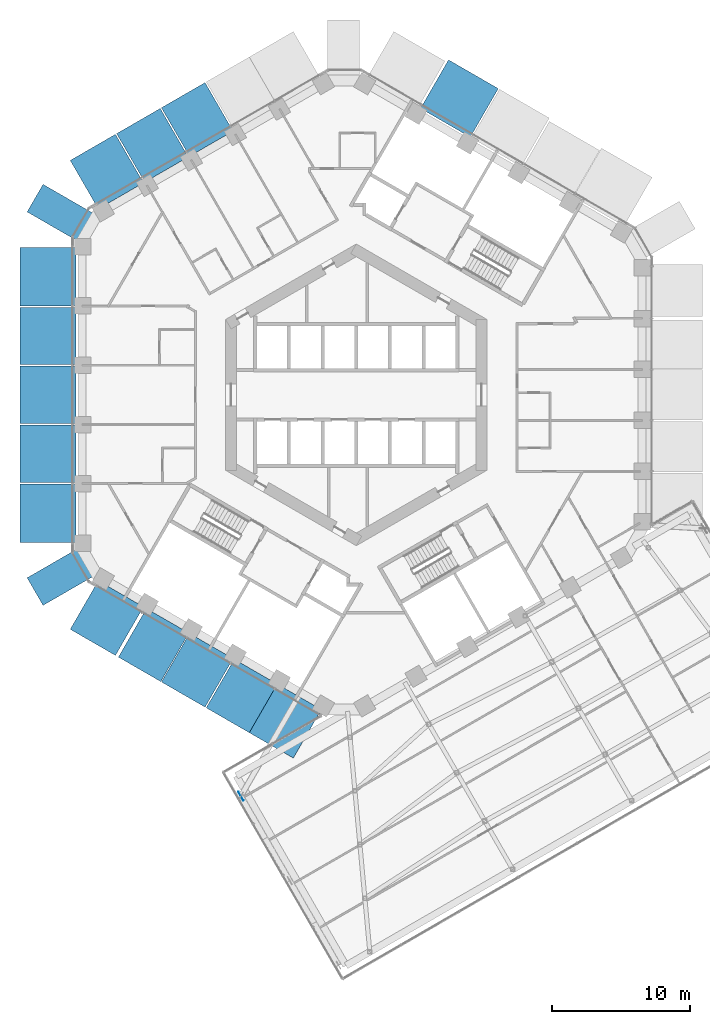
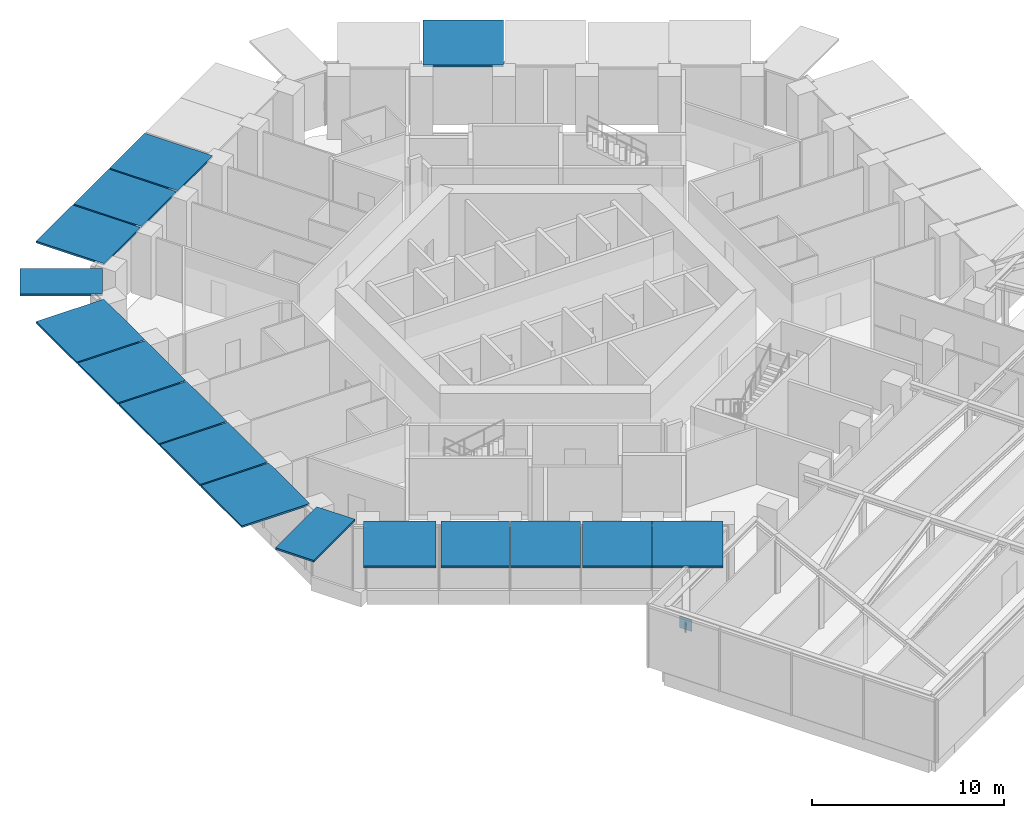
# One storey, part 21 of 28: 17 discrete accessories.
"""IFC4 building model written with IfcOpenShell, lengths in metres."""

from ifc_helpers import new_model, si_unit, direction, frame, origin, origin_2d, place, context, subcontext, project, spatial, rectangle, extrude, material, layer, layer_set, type_object, element, save


model = new_model("IFC4")

# Units and contexts
model_context = context("Model", 3, precision=1e-05, world=origin(), true_north=direction((0.0, 1.0)))
body_context = subcontext(model_context, "Body", "Model", "MODEL_VIEW")
ifc_project = project(units=[si_unit("LENGTHUNIT", "METRE"), si_unit("AREAUNIT", "SQUARE_METRE"), si_unit("VOLUMEUNIT", "CUBIC_METRE"), si_unit("PLANEANGLEUNIT", "RADIAN"), si_unit("MASSUNIT", "GRAM", prefix="KILO")], contexts=[model_context])

# Site, building, storey
site_placement = place(None, origin())
site = spatial("IfcSite", under=ifc_project, at=site_placement, CompositionType="ELEMENT")
building_placement = place(site_placement, origin())
building = spatial("IfcBuilding", under=site, at=building_placement, Name="Ayvan Gate Tower", CompositionType="ELEMENT")
storey_placement = place(building_placement, frame((0.0, 0.0, 74.300048828125)))
storey = spatial("IfcBuildingStorey", under=building, at=storey_placement, Name="L19", CompositionType="ELEMENT", Elevation=74.300048828125)

# Discrete accessories
ifc_material_1 = material(Name="Stainless steel 316", Category="steel")
ifc_layer_1 = layer(ifc_material_1, 0.1201171875)
ifc_layer_set_1 = layer_set([ifc_layer_1], Name="Stainless steel 316")
discrete_accessory_type_1 = type_object("IfcDiscreteAccessoryType", Name="Fin carrier bracket", PredefinedType="BRACKET", material=ifc_layer_set_1)
discrete_accessory_1_placement = place(storey_placement, frame((-22.412109375, -8.595458984375, 3.8798828125), z_axis=(0.0, 0.0, 1.0), x_axis=(0.0, -1.0, 0.0)))
element("IfcDiscreteAccessory", 1, at=discrete_accessory_1_placement, inside=storey, type_object=discrete_accessory_type_1, Name="Fin carrier 15", PredefinedType="BRACKET", context=body_context, shape_type="SweptSolid", body=[
    extrude(rectangle(XDim=4.25146484375, YDim=4.079345703125, at=origin_2d()), origin(), (0.0, 0.0, 1.0), 0.1201171875),
])
for number, where, z_axis, x_axis, name in (
    (2, (-22.412109375, -4.27978515625, 3.8798828125), (0.0, 0.0, 1.0), (0.0, -1.0, 0.0), "Fin carrier 17"),
    (3, (-22.412109375, 0.000244140625, 3.8798828125), (0.0, 0.0, 1.0), (0.0, -1.0, 0.0), "Fin carrier 23"),
):
    element("IfcDiscreteAccessory", number, at=place(storey_placement, frame(where, z_axis=z_axis, x_axis=x_axis)), inside=storey, type_object=discrete_accessory_type_1, Name=name, PredefinedType="BRACKET", context=body_context, shape_type="SweptSolid", body=[
        extrude(rectangle(XDim=4.179931640625, YDim=4.079345703125, at=origin_2d()), origin(), (0.0, 0.0, 1.0), 0.1201171875),
    ])
discrete_accessory_2_placement = place(storey_placement, frame((-22.412109375, 4.27978515625, 3.8798828125), z_axis=(0.0, 0.0, 1.0), x_axis=(0.0, -1.0, 0.0)))
element("IfcDiscreteAccessory", 4, at=discrete_accessory_2_placement, inside=storey, type_object=discrete_accessory_type_1, Name="Fin carrier 27", PredefinedType="BRACKET", context=body_context, shape_type="SweptSolid", body=[
    extrude(rectangle(XDim=4.178955078125, YDim=4.079345703125, at=origin_2d()), origin(), (0.0, 0.0, 1.0), 0.1201171875),
])
discrete_accessory_3_placement = place(storey_placement, frame((-22.412109375, 8.59521484375, 3.8798828125), z_axis=(0.0, 0.0, 1.0), x_axis=(0.0, -1.0, 0.0)))
element("IfcDiscreteAccessory", 5, at=discrete_accessory_3_placement, inside=storey, type_object=discrete_accessory_type_1, Name="Fin carrier 31", PredefinedType="BRACKET", context=body_context, shape_type="SweptSolid", body=[
    extrude(rectangle(XDim=4.251953125, YDim=4.079345703125, at=origin_2d()), origin(), (0.0, 0.0, 1.0), 0.1201171875),
])
for number, where, z_axis, x_axis, name in (
    (6, (-21.48876953125, -13.228759765625, 3.8798828125), (0.0, 0.0, 1.0), (0.5, -0.866025403784, 0.0), "Fin carrier 40"),
    (7, (-21.48876953125, 13.228759765625, 3.8798828125), (0.0, 0.0, 1.0), (-0.5, -0.866025403784, 0.0), "Fin carrier 57"),
):
    element("IfcDiscreteAccessory", number, at=place(storey_placement, frame(where, z_axis=z_axis, x_axis=x_axis)), inside=storey, type_object=discrete_accessory_type_1, Name=name, PredefinedType="BRACKET", context=body_context, shape_type="SweptSolid", body=[
        extrude(rectangle(XDim=2.314453125, YDim=4.310546875, at=origin_2d()), origin(), (0.0, 0.0, 1.0), 0.1201171875),
    ])
discrete_accessory_4_placement = place(storey_placement, frame((-18.135498046875, -16.231201171875, 3.8798828125), z_axis=(0.0, 0.0, 1.0), x_axis=(0.866025403784, -0.5, 0.0)))
element("IfcDiscreteAccessory", 8, at=discrete_accessory_4_placement, inside=storey, type_object=discrete_accessory_type_1, Name="Fin carrier 133", PredefinedType="BRACKET", context=body_context, shape_type="SweptSolid", body=[
    extrude(rectangle(XDim=3.794921875, YDim=4.079345703125, at=origin_2d()), origin(), (0.0, 0.0, 1.0), 0.1201171875),
])
discrete_accessory_5_placement = place(storey_placement, frame((-18.1357421875, 16.23095703125, 3.8798828125), z_axis=(0.0, 0.0, 1.0), x_axis=(-0.866025403784, -0.5, 0.0)))
element("IfcDiscreteAccessory", 9, at=discrete_accessory_5_placement, inside=storey, type_object=discrete_accessory_type_1, Name="Fin carrier 148", PredefinedType="BRACKET", context=body_context, shape_type="SweptSolid", body=[
    extrude(rectangle(XDim=3.79443359375, YDim=4.079345703125, at=origin_2d()), origin(), (0.0, 0.0, 1.0), 0.1201171875),
])
discrete_accessory_6_placement = place(storey_placement, frame((-14.73486328125, -18.194580078125, 3.8798828125), z_axis=(0.0, 0.0, 1.0), x_axis=(0.866025403784, -0.5, 0.0)))
element("IfcDiscreteAccessory", 10, at=discrete_accessory_6_placement, inside=storey, type_object=discrete_accessory_type_1, Name="Fin carrier 253", PredefinedType="BRACKET", context=body_context, shape_type="SweptSolid", body=[
    extrude(rectangle(XDim=3.56298828125, YDim=4.079345703125, at=origin_2d()), origin(), (0.0, 0.0, 1.0), 0.1201171875),
])
for number, where, z_axis, x_axis, name in (
    (11, (-14.8203125, 18.14501953125, 3.8798828125), (0.0, 0.0, 1.0), (-0.866025403784, -0.5, 0.0), "Fin carrier 264"),
    (12, (-11.56201171875, -20.0263671875, 3.8798828125), (0.0, 0.0, 1.0), (0.866025403784, -0.5, 0.0), "Fin carrier 320"),
    (13, (-11.562255859375, 20.026123046875, 3.8798828125), (0.0, 0.0, 1.0), (-0.866025403784, -0.5, 0.0), "Fin carrier 326"),
    (14, (-8.303955078125, -21.9072265625, 3.8798828125), (0.0, 0.0, 1.0), (0.866025403784, -0.5, 0.0), "Fin carrier 381"),
):
    element("IfcDiscreteAccessory", number, at=place(storey_placement, frame(where, z_axis=z_axis, x_axis=x_axis)), inside=storey, type_object=discrete_accessory_type_1, Name=name, PredefinedType="BRACKET", context=body_context, shape_type="SweptSolid", body=[
        extrude(rectangle(XDim=3.662109375, YDim=4.079345703125, at=origin_2d()), origin(), (0.0, 0.0, 1.0), 0.1201171875),
    ])
discrete_accessory_7_placement = place(storey_placement, frame((-5.157470703125, -23.723876953125, 3.8798828125), z_axis=(0.0, 0.0, 1.0), x_axis=(0.866025403784, -0.5, 0.0)))
element("IfcDiscreteAccessory", 15, at=discrete_accessory_7_placement, inside=storey, type_object=discrete_accessory_type_1, Name="Fin carrier 439", PredefinedType="BRACKET", context=body_context, shape_type="SweptSolid", body=[
    extrude(rectangle(XDim=3.70068359375, YDim=4.079345703125, at=origin_2d()), origin(), (0.0, 0.0, 1.0), 0.1201171875),
])
discrete_accessory_8_placement = place(storey_placement, frame((7.499755859375, 21.54931640625, 3.8798828125), z_axis=(0.0, 0.0, 1.0), x_axis=(-0.866025403784, 0.5, 0.0)))
element("IfcDiscreteAccessory", 16, at=discrete_accessory_8_placement, inside=storey, type_object=discrete_accessory_type_1, Name="Fin carrier 650", PredefinedType="BRACKET", context=body_context, shape_type="SweptSolid", body=[
    extrude(rectangle(XDim=4.179931640625, YDim=4.079345703125, at=origin_2d()), origin(), (0.0, 0.0, 1.0), 0.1201171875),
])
ifc_material_2 = material(Name="Steel S460ML", Category="steel")
ifc_layer_2 = layer(ifc_material_2, 0.034912109375)
ifc_layer_set_2 = layer_set([ifc_layer_2], Name="Steel S460ML")
discrete_accessory_type_2 = type_object("IfcDiscreteAccessoryType", Name="Gusset plate 35 mm", PredefinedType="BRACKET", material=ifc_layer_set_2)
discrete_accessory_9_placement = place(storey_placement, frame((-8.390869140625, -29.1767578125, 2.98193359375), z_axis=(0.0, 0.0, 1.0), x_axis=(-0.5, 0.866025403784, 0.0)))
element("IfcDiscreteAccessory", 17, at=discrete_accessory_9_placement, inside=storey, type_object=discrete_accessory_type_2, Name="Gusset plate SBX1-B-D-2", PredefinedType="BRACKET", context=body_context, shape_type="SweptSolid", body=[
    extrude(rectangle(XDim=0.736083984375, YDim=0.034912109375, at=origin_2d()), origin(), (0.0, 0.0, 1.0), 0.736083984375),
])

save(model, "model.ifc")
